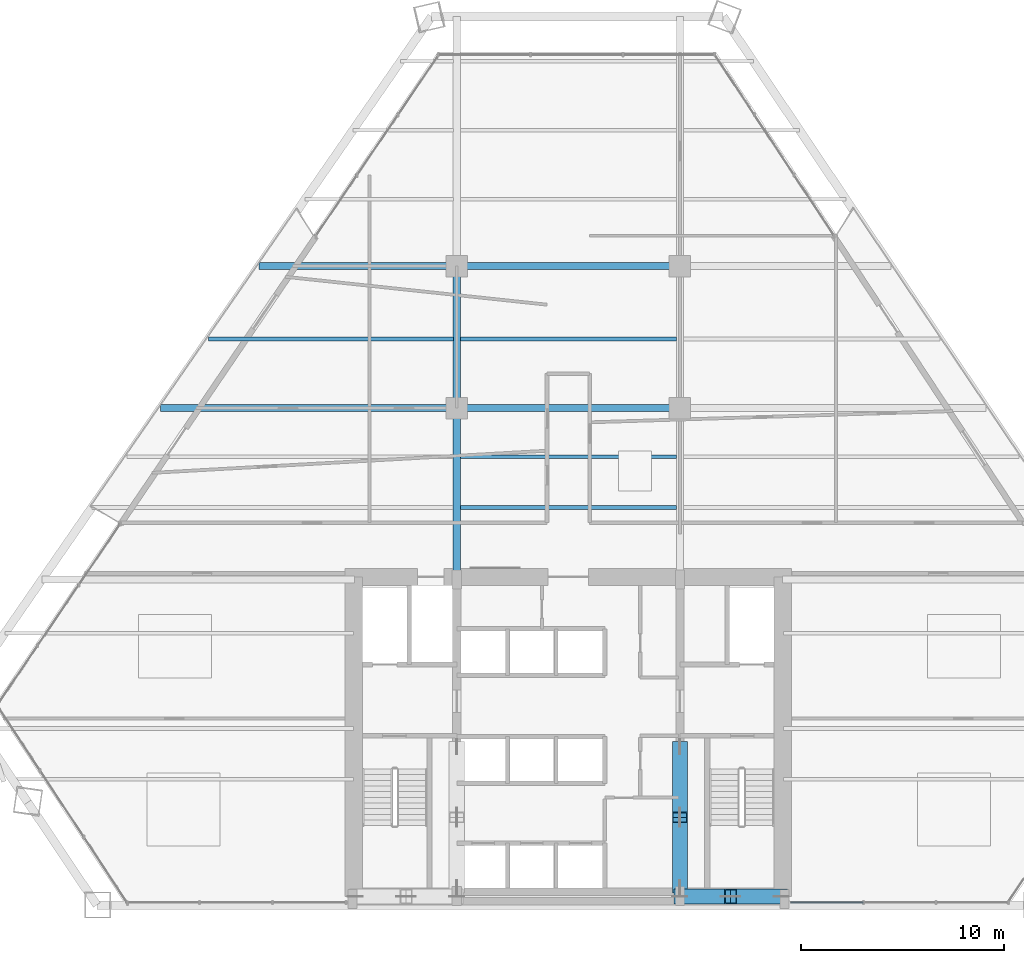
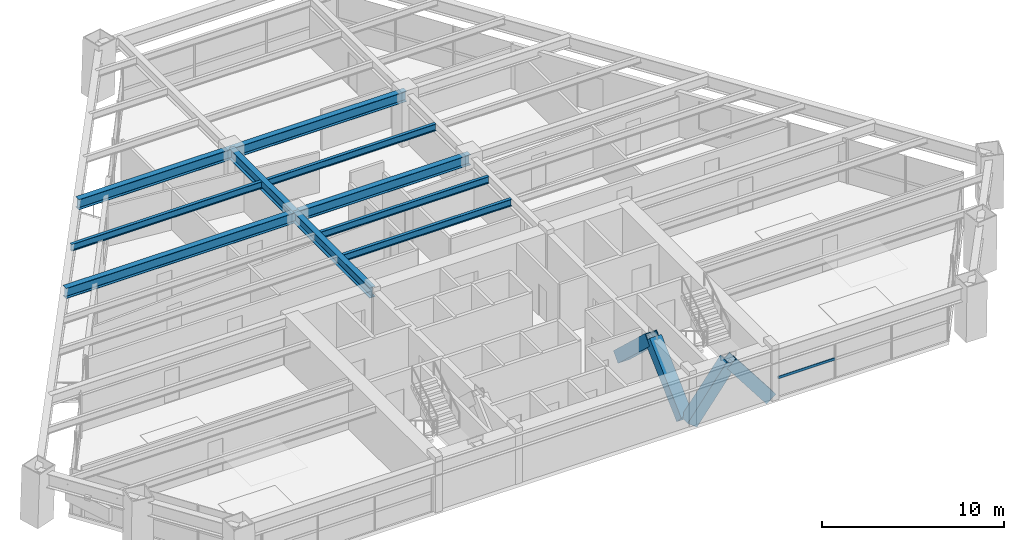
# One storey, part 5 of 14: 10 beams, 5 members, 1 element without a shape of its own.
"""IFC4 building model written with IfcOpenShell, lengths in metres."""

import ifcopenshell
import ifcopenshell.guid

model = None  # the IFC model being written
_history = None  # IfcOwnerHistory: only IFC2X3 demands one
_inside = {}  # id of a spatial element -> (the spatial element, [elements in it])
_under = {}  # id of a project, library or spatial element -> (it, [spatial elements below it])
_declared = {}  # id of a project -> (the project, [libraries it declares])
_typed = {}  # id of a type object -> (the type object, [elements of that type])
_made_of = {}  # id of a material, layer set ... -> (it, [elements and type objects made of it])


def new_model(schema):
    """Start an empty IFC model of exactly this schema.

    Asked for "IFC4X3", IfcOpenShell would pick the latest addendum, in which some entities
    have other attributes; the version numbers below select the first issue.
    IFC2X3 requires an IfcOwnerHistory on every rooted entity: one is made here for all.
    """
    global model, _history
    if schema == "IFC4X3":
        model = ifcopenshell.file(schema_version=(4, 3, 0, 0))
    else:
        model = ifcopenshell.file(schema=schema)
    _inside.clear()
    _under.clear()
    _declared.clear()
    _typed.clear()
    _made_of.clear()
    _history = None
    if model.schema == "IFC2X3":
        org = make("IfcOrganization", Name="unknown")
        user = make(
            "IfcPersonAndOrganization",
            ThePerson=make("IfcPerson", FamilyName="unknown"),
            TheOrganization=org,
        )
        app = make(
            "IfcApplication",
            ApplicationDeveloper=org,
            Version="unknown",
            ApplicationFullName="unknown",
            ApplicationIdentifier="unknown",
        )
        _history = make(
            "IfcOwnerHistory",
            OwningUser=user,
            OwningApplication=app,
            ChangeAction="ADDED",
            CreationDate=0,
        )
    return model


def make(cls, **values):
    """One entity of the class cls with the attributes given. An attribute that is None is left unset."""
    return model.create_entity(
        cls, **{name: value for name, value in values.items() if value is not None}
    )


def rooted(cls, **values):
    """An entity with a GlobalId (a new one), such as an element, a storey or a relation."""
    return make(cls, GlobalId=ifcopenshell.guid.new(), OwnerHistory=_history, **values)


def si_unit(unit_type, name, prefix=None):
    """IfcSIUnit, for example si_unit("LENGTHUNIT", "METRE", prefix="MILLI")."""
    return make("IfcSIUnit", UnitType=unit_type, Prefix=prefix, Name=name)


def assignment(units):
    """IfcUnitAssignment: the units of a project."""
    return None if units is None else make("IfcUnitAssignment", Units=units)


def point(xyz):
    """IfcCartesianPoint."""
    return None if xyz is None else make("IfcCartesianPoint", Coordinates=xyz)


def direction(xyz):
    """IfcDirection."""
    return None if xyz is None else make("IfcDirection", DirectionRatios=xyz)


def frame(location, z_axis=None, x_axis=None):
    """IfcAxis2Placement3D, a coordinate frame: its origin and axes. An axis left out is left unset."""
    return make(
        "IfcAxis2Placement3D",
        Location=point(location),
        Axis=direction(z_axis),
        RefDirection=direction(x_axis),
    )


def frame_2d(location, x_axis=None):
    """IfcAxis2Placement2D, a coordinate frame in the plane: its origin and x axis."""
    return make(
        "IfcAxis2Placement2D", Location=point(location), RefDirection=direction(x_axis)
    )


def origin():
    """The frame at (0, 0, 0) with its axes left unset."""
    return frame((0.0, 0.0, 0.0))


def origin_2d():
    """The frame at (0, 0) in the plane with its x axis left unset."""
    return frame_2d((0.0, 0.0))


def place(relative_to, where):
    """IfcLocalPlacement: puts the frame where relative to a parent placement (None: the world)."""
    return make(
        "IfcLocalPlacement", PlacementRelTo=relative_to, RelativePlacement=where
    )


def context(
    kind, dimensions, precision=None, world=None, true_north=None, identifier=None
):
    """IfcGeometricRepresentationContext, for example the 3D "Model" context."""
    return make(
        "IfcGeometricRepresentationContext",
        ContextIdentifier=identifier,
        ContextType=kind,
        CoordinateSpaceDimension=dimensions,
        Precision=precision,
        WorldCoordinateSystem=world,
        TrueNorth=true_north,
    )


def subcontext(parent, identifier, kind, view, scale=None):
    """IfcGeometricRepresentationSubContext, for example "Body" below "Model"."""
    return make(
        "IfcGeometricRepresentationSubContext",
        ContextIdentifier=identifier,
        ContextType=kind,
        ParentContext=parent,
        TargetScale=scale,
        TargetView=view,
    )


def project(units=None, contexts=None):
    """IfcProject with its units and contexts."""
    return rooted(
        "IfcProject",
        Name="project",
        RepresentationContexts=contexts,
        UnitsInContext=assignment(units),
    )


def spatial(cls, under=None, at=None, **own):
    """A site, building, storey or space (cls), placed at a placement, below another one or the project."""
    s = rooted(cls, ObjectPlacement=at, **own)
    if under is not None:
        _under.setdefault(under.id(), (under, []))[1].append(s)
    return s


def profile(cls, at=None, kind="AREA", **sizes):
    """A parametric profile (cls). Its sizes go by their IFC names, for example OverallWidth=200.0."""
    return make(cls, ProfileType=kind, Position=at, **sizes)


def rectangle(**sizes):
    """IfcRectangleProfileDef."""
    return profile("IfcRectangleProfileDef", **sizes)


def hollow_rectangle(**sizes):
    """IfcRectangleHollowProfileDef."""
    return profile("IfcRectangleHollowProfileDef", **sizes)


def i_section(**sizes):
    """IfcIShapeProfileDef."""
    return profile("IfcIShapeProfileDef", **sizes)


def extrude(swept, where, along, depth):
    """IfcExtrudedAreaSolid: the profile swept, set in the frame where, extruded along a direction by depth."""
    return make(
        "IfcExtrudedAreaSolid",
        SweptArea=swept,
        Position=where,
        ExtrudedDirection=direction(along),
        Depth=depth,
    )


def shape(context_of_items, identifier, shape_type, items):
    """IfcShapeRepresentation: the items that make up one representation, for example the "Body"."""
    return make(
        "IfcShapeRepresentation",
        ContextOfItems=context_of_items,
        RepresentationIdentifier=identifier,
        RepresentationType=shape_type,
        Items=items,
    )


def source(mapping_origin, context_of_items, identifier, shape_type, items):
    """IfcRepresentationMap: a shape defined once, which mapped items show again and again."""
    return make(
        "IfcRepresentationMap",
        MappingOrigin=mapping_origin,
        MappedRepresentation=shape(context_of_items, identifier, shape_type, items),
    )


def transform(
    local_origin,
    x_axis=None,
    y_axis=None,
    z_axis=None,
    scale=None,
    scale2=None,
    scale3=None,
    uniform=True,
):
    """IfcCartesianTransformationOperator3D, or its non-uniform kind. x_axis, y_axis, z_axis: its Axis1, 2, 3."""
    if uniform:
        return make(
            "IfcCartesianTransformationOperator3D",
            Axis1=direction(x_axis),
            Axis2=direction(y_axis),
            LocalOrigin=point(local_origin),
            Scale=scale,
            Axis3=direction(z_axis),
        )
    return make(
        "IfcCartesianTransformationOperator3DnonUniform",
        Axis1=direction(x_axis),
        Axis2=direction(y_axis),
        LocalOrigin=point(local_origin),
        Scale=scale,
        Axis3=direction(z_axis),
        Scale2=scale2,
        Scale3=scale3,
    )


def mapped(mapping_source, mapping_target):
    """IfcMappedItem: shows the shape of a source again, moved by a transform."""
    return make(
        "IfcMappedItem", MappingSource=mapping_source, MappingTarget=mapping_target
    )


def material(Name=None, Category=None):
    """IfcMaterial."""
    return make("IfcMaterial", Name=Name, Category=Category)


def material_profile(
    of_material, cross_section, Name=None, Category=None, Priority=None
):
    """IfcMaterialProfile: a cross section and its material."""
    return make(
        "IfcMaterialProfile",
        Name=Name,
        Material=of_material,
        Profile=cross_section,
        Priority=Priority,
        Category=Category,
    )


def profile_set(profiles, Name=None, composite=None):
    """IfcMaterialProfileSet."""
    return make(
        "IfcMaterialProfileSet",
        Name=Name,
        MaterialProfiles=profiles,
        CompositeProfile=composite,
    )


def made_of(thing, what):
    """Note that an element or type object is made of a material, layer set ...; save() writes the relation."""
    if what is not None:
        _made_of.setdefault(what.id(), (what, []))[1].append(thing)
    return thing


def type_object(cls, material=None, **own):
    """A type object (cls), such as IfcWallType, which elements share."""
    return made_of(rooted(cls, **own), material)


def type_shapes(of_type, sources):
    """Give a type object the sources (RepresentationMaps) that its elements show as mapped items."""
    of_type.RepresentationMaps = sources


def element(
    cls,
    number,
    at=None,
    inside=None,
    cuts=None,
    type_object=None,
    material=None,
    context=None,
    identifier="Body",
    shape_type=None,
    held_by="IfcProductDefinitionShape",
    body=None,
    shapes=None,
    **own,
):
    """One element of the class cls, such as IfcWall. Its Tag is "e" and its number.

    at: its placement. inside: the storey or other place that contains it. cuts: it is an
    opening in that element (IfcRelVoidsElement). A single representation is given by context,
    identifier, shape_type and body (its items); several are given by shapes. held_by: the class
    of the entity that holds the representations. save() writes the other relations.
    """
    e = rooted(cls, Tag="e%d" % number, ObjectPlacement=at, **own)
    if body is not None:
        shapes = [shape(context, identifier, shape_type, body)]
    if shapes is not None:
        e.Representation = make(held_by, Representations=shapes)
    if inside is not None:
        _inside.setdefault(inside.id(), (inside, []))[1].append(e)
    if cuts is not None:
        rooted(
            "IfcRelVoidsElement", RelatingBuildingElement=cuts, RelatedOpeningElement=e
        )
    if type_object is not None:
        _typed.setdefault(type_object.id(), (type_object, []))[1].append(e)
    return made_of(e, material)


def aggregate(whole, parts):
    """IfcRelAggregates: a whole, such as a stair, and the parts it consists of."""
    return rooted("IfcRelAggregates", RelatingObject=whole, RelatedObjects=parts)


def save(model, path):
    """Write the relations noted so far, then the file.

    IfcRelAggregates (storeys below a building ...), IfcRelContainedInSpatialStructure (elements
    in a storey), IfcRelDefinesByType, IfcRelAssociatesMaterial and IfcRelDeclares: one each for
    every whole, place, type object, material and project.
    """
    for whole, parts in _under.values():
        aggregate(whole, parts)
    for where, things in _inside.values():
        rooted(
            "IfcRelContainedInSpatialStructure",
            RelatedElements=things,
            RelatingStructure=where,
        )
    for kind, things in _typed.values():
        rooted("IfcRelDefinesByType", RelatedObjects=things, RelatingType=kind)
    for what, things in _made_of.values():
        rooted("IfcRelAssociatesMaterial", RelatedObjects=things, RelatingMaterial=what)
    for by, libraries in _declared.values():
        rooted("IfcRelDeclares", RelatingContext=by, RelatedDefinitions=libraries)
    model.write(path)


model = new_model("IFC4")

# Units and contexts
model_context = context("Model", 3, precision=1e-05, world=origin(), true_north=direction((0.0, 1.0)))
body_context = subcontext(model_context, "Body", "Model", "MODEL_VIEW")
ifc_project = project(units=[si_unit("LENGTHUNIT", "METRE"), si_unit("AREAUNIT", "SQUARE_METRE"), si_unit("VOLUMEUNIT", "CUBIC_METRE"), si_unit("PLANEANGLEUNIT", "RADIAN"), si_unit("MASSUNIT", "GRAM", prefix="KILO")], contexts=[model_context])

# Site, building, storey
site_placement = place(None, origin())
site = spatial("IfcSite", under=ifc_project, at=site_placement, CompositionType="ELEMENT")
building_placement = place(site_placement, origin())
building = spatial("IfcBuilding", under=site, at=building_placement, Name="Varnakhor Terracotta Tower", CompositionType="ELEMENT")
storey_placement = place(building_placement, frame((0.0, 0.0, 68.199951171875)))
storey = spatial("IfcBuildingStorey", under=building, at=storey_placement, Name="L16", CompositionType="ELEMENT", Elevation=68.199951171875)

# Beams
ifc_material_1 = material(Name="Steel S355", Category="steel")
ifc_material_profile_1 = material_profile(ifc_material_1, i_section(OverallWidth=0.35498046875, OverallDepth=0.695068359375, WebThickness=0.014892578125, FlangeThickness=0.02490234375, FilletRadius=0.01806640625, at=origin_2d()), Name="W27X146")
ifc_profile_set_1 = profile_set([ifc_material_profile_1], Name="Steel S355")
beam_type_1 = type_object("IfcBeamType", Name="BM-W27X146", PredefinedType="BEAM", material=ifc_profile_set_1)
shared_shape_1 = source(origin(), body_context, "Body", "SweptSolid", [
    extrude(i_section(OverallWidth=0.35498046875, OverallDepth=0.695068359375, WebThickness=0.014892578125, FlangeThickness=0.02490234375, FilletRadius=0.01806640625, at=origin_2d()), origin(), (0.0, 0.0, 1.0), 8.449951171875),
])
type_shapes(beam_type_1, [shared_shape_1])
beam_1_placement = place(storey_placement, frame((-5.5, 16.050048828125, 3.052490234375), z_axis=(0.0, 1.0, 0.0), x_axis=(-1.0, 0.0, 0.0)))
element("IfcBeam", 1, at=beam_1_placement, inside=storey, type_object=beam_type_1, Name="L16 Primary Girder NS1-W", PredefinedType="BEAM", context=body_context, shape_type="MappedRepresentation", body=[
    mapped(shared_shape_1, transform((0.0, 0.0, 0.0), scale=1.0)),
])
shared_shape_2 = source(origin(), body_context, "Body", "SweptSolid", [
    extrude(i_section(OverallWidth=0.35498046875, OverallDepth=0.695068359375, WebThickness=0.014892578125, FlangeThickness=0.02490234375, FilletRadius=0.01806640625, at=origin_2d()), origin(), (0.0, 0.0, 1.0), 7.0),
])
beam_2_placement = place(storey_placement, frame((-5.5, 24.5, 3.052490234375), z_axis=(0.0, 1.0, 0.0), x_axis=(-1.0, 0.0, 0.0)))
element("IfcBeam", 2, at=beam_2_placement, inside=storey, type_object=beam_type_1, Name="L16 Primary Girder NS2-W", PredefinedType="BEAM", context=body_context, shape_type="MappedRepresentation", body=[
    mapped(shared_shape_2, transform((0.0, 0.0, 0.0), scale=1.0)),
])
shared_shape_3 = source(origin(), body_context, "Body", "SweptSolid", [
    extrude(i_section(OverallWidth=0.35498046875, OverallDepth=0.695068359375, WebThickness=0.014892578125, FlangeThickness=0.02490234375, FilletRadius=0.01806640625, at=origin_2d()), origin(), (0.0, 0.0, 1.0), 11.0),
])
for number, where, z_axis, x_axis, name in (
    (3, (-5.5, 24.5, 3.052490234375), (1.0, 0.0, 0.0), (0.0, 1.0, 0.0), "L16 Primary Girder EW2-2"),
    (4, (-5.5, 31.5, 3.052490234375), (1.0, 0.0, 0.0), (0.0, 1.0, 0.0), "L16 Primary Girder EW3-2"),
):
    element("IfcBeam", number, at=place(storey_placement, frame(where, z_axis=z_axis, x_axis=x_axis)), inside=storey, type_object=beam_type_1, Name=name, PredefinedType="BEAM", context=body_context, shape_type="MappedRepresentation", body=[
        mapped(shared_shape_3, transform((0.0, 0.0, 0.0), scale=1.0)),
    ])
ifc_material_profile_2 = material_profile(ifc_material_1, i_section(OverallWidth=0.19189453125, OverallDepth=0.462890625, WebThickness=0.010498046875, FlangeThickness=0.017578125, FilletRadius=0.01806640625, at=origin_2d()), Name="W18X60")
ifc_profile_set_2 = profile_set([ifc_material_profile_2], Name="Steel S355")
beam_type_2 = type_object("IfcBeamType", Name="JST-W18X60", PredefinedType="JOIST", material=ifc_profile_set_2)
shared_shape_4 = source(origin(), body_context, "Body", "SweptSolid", [
    extrude(i_section(OverallWidth=0.19189453125, OverallDepth=0.462890625, WebThickness=0.010498046875, FlangeThickness=0.017578125, FilletRadius=0.01806640625, at=origin_2d()), origin(), (0.0, 0.0, 1.0), 10.65283203125),
])
for number, where, z_axis, x_axis, name in (
    (5, (-5.326416015625, 19.60009765625, 3.16845703125), (1.0, 0.0, 0.0), (0.0, 1.0, 0.0), "L16 Composite Floor Joist 4-2"),
    (6, (-5.326416015625, 22.10009765625, 3.16845703125), (1.0, 0.0, 0.0), (0.0, 1.0, 0.0), "L16 Composite Floor Joist 5-2"),
    (7, (-5.326416015625, 27.89990234375, 3.16845703125), (1.0, 0.0, 0.0), (0.0, 1.0, 0.0), "L16 Composite Floor Joist 6-2"),
):
    element("IfcBeam", number, at=place(storey_placement, frame(where, z_axis=z_axis, x_axis=x_axis)), inside=storey, type_object=beam_type_2, Name=name, PredefinedType="JOIST", context=body_context, shape_type="MappedRepresentation", body=[
        mapped(shared_shape_4, transform((0.0, 0.0, 0.0), scale=1.0)),
    ])
shared_shape_5 = source(origin(), body_context, "Body", "SweptSolid", [
    extrude(i_section(OverallWidth=0.35498046875, OverallDepth=0.695068359375, WebThickness=0.014892578125, FlangeThickness=0.02490234375, FilletRadius=0.01806640625, at=origin_2d()), origin(), (0.0, 0.0, 1.0), 14.603759765625),
])
beam_3_placement = place(storey_placement, frame((-20.103759765625, 24.5, 3.052490234375), z_axis=(1.0, 0.0, 0.0), x_axis=(0.0, 1.0, 0.0)))
element("IfcBeam", 8, at=beam_3_placement, inside=storey, type_object=beam_type_1, Name="L16 Primary Girder EW2-1", PredefinedType="BEAM", context=body_context, shape_type="MappedRepresentation", body=[
    mapped(shared_shape_5, transform((0.0, 0.0, 0.0), scale=1.0)),
])
shared_shape_6 = source(origin(), body_context, "Body", "SweptSolid", [
    extrude(i_section(OverallWidth=0.35498046875, OverallDepth=0.695068359375, WebThickness=0.014892578125, FlangeThickness=0.02490234375, FilletRadius=0.01806640625, at=origin_2d()), origin(), (0.0, 0.0, 1.0), 9.759521484375),
])
beam_4_placement = place(storey_placement, frame((-15.259521484375, 31.5, 3.052490234375), z_axis=(1.0, 0.0, 0.0), x_axis=(0.0, 1.0, 0.0)))
element("IfcBeam", 9, at=beam_4_placement, inside=storey, type_object=beam_type_1, Name="L16 Primary Girder EW3-1", PredefinedType="BEAM", context=body_context, shape_type="MappedRepresentation", body=[
    mapped(shared_shape_6, transform((0.0, 0.0, 0.0), scale=1.0)),
])
shared_shape_7 = source(origin(), body_context, "Body", "SweptSolid", [
    extrude(i_section(OverallWidth=0.19189453125, OverallDepth=0.462890625, WebThickness=0.010498046875, FlangeThickness=0.017578125, FilletRadius=0.01806640625, at=origin_2d()), origin(), (0.0, 0.0, 1.0), 12.0771484375),
])
beam_5_placement = place(storey_placement, frame((-17.750732421875, 27.89990234375, 3.16845703125), z_axis=(1.0, 0.0, 0.0), x_axis=(0.0, 1.0, 0.0)))
element("IfcBeam", 10, at=beam_5_placement, inside=storey, type_object=beam_type_2, Name="L16 Composite Floor Joist 6-1", PredefinedType="JOIST", context=body_context, shape_type="MappedRepresentation", body=[
    mapped(shared_shape_7, transform((0.0, 0.0, 0.0), scale=1.0)),
])

# Members
ifc_material_2 = material(Name="Steel S460", Category="steel")
ifc_material_profile_3 = material_profile(ifc_material_2, hollow_rectangle(XDim=0.75, YDim=0.75, WallThickness=0.044921875, at=origin_2d()), Name="HSS750X750X45")
ifc_profile_set_3 = profile_set([ifc_material_profile_3], Name="Steel S460")
member_type_1 = type_object("IfcMemberType", Name="MBR-MEGA-750", PredefinedType="BRACE", material=ifc_profile_set_3)
shared_shape_8 = source(origin(), body_context, "Body", "SweptSolid", [
    extrude(hollow_rectangle(XDim=0.75, YDim=0.75, WallThickness=0.044921875, at=origin_2d()), origin(), (0.0, 0.0, 1.0), 4.100341796875),
])
for number, where, z_axis, x_axis, name in (
    (11, (5.5, 0.419921875, 0.0), (0.60971076085, 0.0, 0.792623989105), (0.0, 1.0, 0.0), "L16 Core Coupled Brace CSEA"),
    (12, (10.5, 0.419921875, 0.0), (-0.60971076085, 0.0, 0.792623989105), (0.0, -1.0, 0.0), "L16 Core Coupled Brace CSEB"),
):
    element("IfcMember", number, at=place(storey_placement, frame(where, z_axis=z_axis, x_axis=x_axis)), inside=storey, type_object=member_type_1, Name=name, PredefinedType="BRACE", context=body_context, shape_type="MappedRepresentation", body=[
        mapped(shared_shape_8, transform((0.0, 0.0, 0.0), scale=1.0)),
    ])
shared_shape_9 = source(origin(), body_context, "Body", "SweptSolid", [
    extrude(hollow_rectangle(XDim=0.75, YDim=0.75, WallThickness=0.044921875, at=origin_2d()), origin(), (0.0, 0.0, 1.0), 4.7578125),
])
member_1_placement = place(storey_placement, frame((5.5, 0.85009765625, 0.0), z_axis=(0.0, 0.730341602329, 0.683082091632), x_axis=(-1.0, 0.0, 0.0)))
element("IfcMember", 13, at=member_1_placement, inside=storey, type_object=member_type_1, Name="L16 Core Coupled Brace CWEA", PredefinedType="BRACE", context=body_context, shape_type="MappedRepresentation", body=[
    mapped(shared_shape_9, transform((0.0, 0.0, 0.0), scale=1.0)),
])
shared_shape_10 = source(origin(), body_context, "Body", "SweptSolid", [
    extrude(hollow_rectangle(XDim=0.75, YDim=0.75, WallThickness=0.044921875, at=origin_2d()), origin(), (0.0, 0.0, 1.0), 4.758056640625),
])
member_2_placement = place(storey_placement, frame((5.5, 7.800048828125, 0.0), z_axis=(0.0, -0.730365543808, 0.683056492846), x_axis=(1.0, 0.0, 0.0)))
element("IfcMember", 14, at=member_2_placement, inside=storey, type_object=member_type_1, Name="L16 Core Coupled Brace CWEB", PredefinedType="BRACE", context=body_context, shape_type="MappedRepresentation", body=[
    mapped(shared_shape_10, transform((0.0, 0.0, 0.0), scale=1.0)),
])

# Curtain wall, member
ifc_material_3 = material(Name="Anodised Aluminium Curtain Wall System", Category="aluminium")
curtain_wall_type = type_object("IfcCurtainWallType", Name="CW-SYS-LOW-OFFICE", PredefinedType="NOTDEFINED", material=ifc_material_3)
curtain_wall_placement = place(storey_placement, origin())
curtain_wall = element("IfcCurtainWall", 15, at=curtain_wall_placement, inside=storey, type_object=curtain_wall_type, Name="L16 South Wing Curtain Wall SSE", PredefinedType="NOTDEFINED")
ifc_material_4 = material(Name="Anodised Aluminium 6063-T6", Category="aluminium")
ifc_material_profile_4 = material_profile(ifc_material_4, rectangle(XDim=0.074951171875, YDim=0.1650390625, at=origin_2d()), Name="ALU TRANSOM 75x165")
ifc_profile_set_4 = profile_set([ifc_material_profile_4], Name="Anodised Aluminium 6063-T6")
member_type_2 = type_object("IfcMemberType", Name="CWT-02", PredefinedType="USERDEFINED", material=ifc_profile_set_4)
shared_shape_11 = source(origin(), body_context, "Body", "SweptSolid", [
    extrude(rectangle(XDim=0.074951171875, YDim=0.1650390625, at=origin_2d()), origin(), (0.0, 0.0, 1.0), 3.579345703125),
])
member_3_placement = place(storey_placement, frame((14.54931640625, 0.1201171875, 1.251708984375), z_axis=(-1.0, 0.0, 0.0), x_axis=(0.0, -1.0, 0.0)))
member_3 = element("IfcMember", 16, at=member_3_placement, type_object=member_type_2, Name="L16 South Wing Curtain Wall SSE Transom 3", ObjectType="TRANSOM", PredefinedType="USERDEFINED", context=body_context, shape_type="MappedRepresentation", body=[
    mapped(shared_shape_11, transform((0.0, 0.0, 0.0), scale=1.0)),
])
aggregate(curtain_wall, [member_3])

save(model, "model.ifc")
